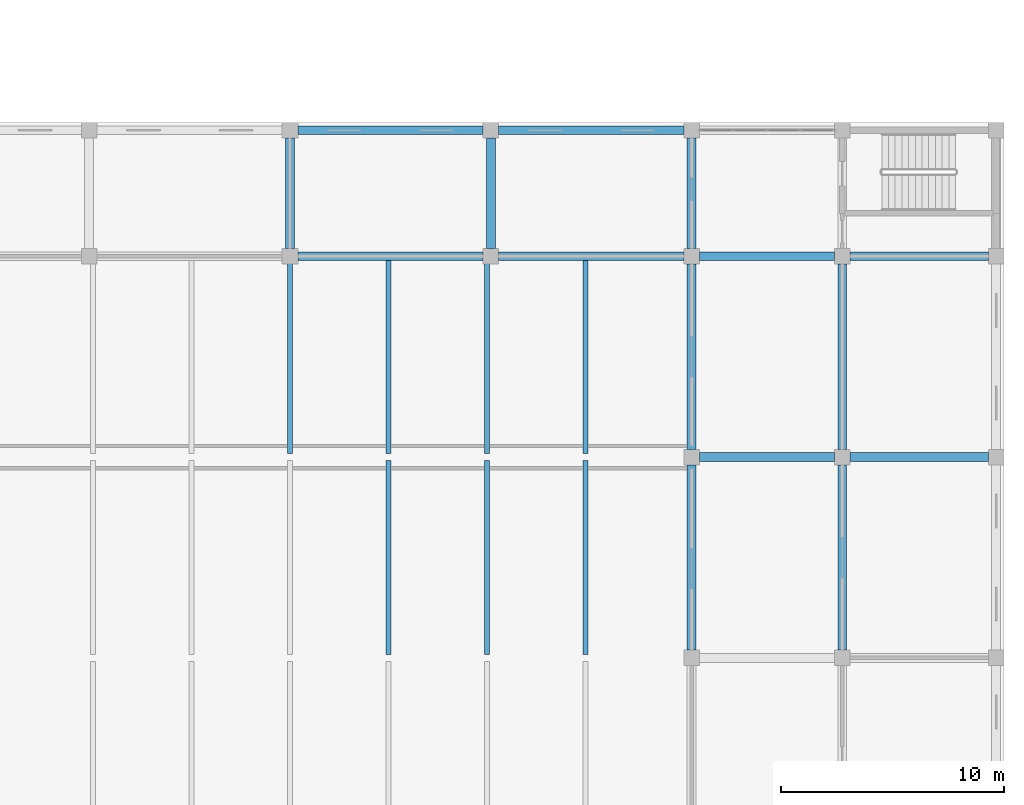
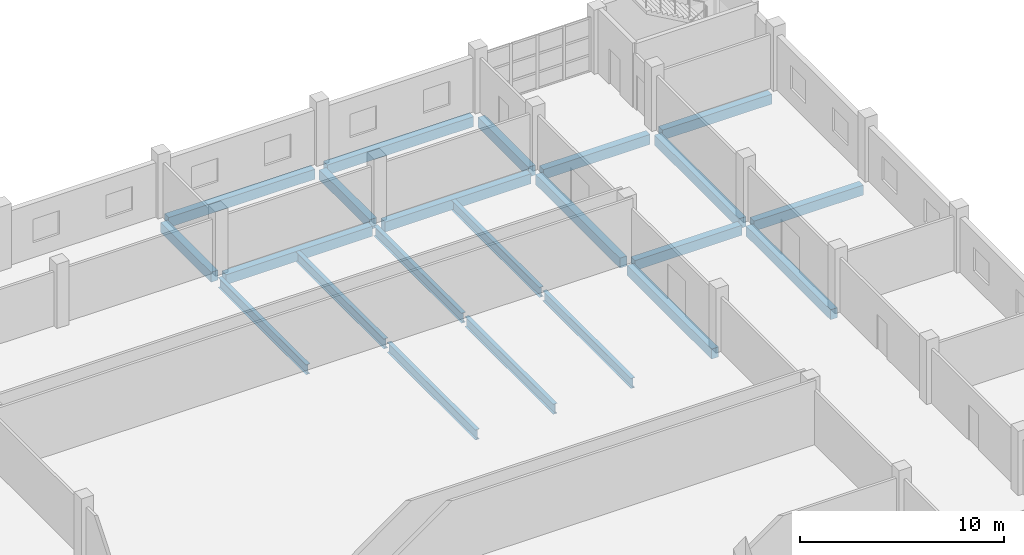
# One storey, part 7 of 31: 22 beams.
"""IFC4 building model written with IfcOpenShell, lengths in metres."""

import ifcopenshell
import ifcopenshell.guid

model = None  # the IFC model being written
_history = None  # IfcOwnerHistory: only IFC2X3 demands one
_inside = {}  # id of a spatial element -> (the spatial element, [elements in it])
_under = {}  # id of a project, library or spatial element -> (it, [spatial elements below it])
_declared = {}  # id of a project -> (the project, [libraries it declares])
_typed = {}  # id of a type object -> (the type object, [elements of that type])
_made_of = {}  # id of a material, layer set ... -> (it, [elements and type objects made of it])


def new_model(schema):
    """Start an empty IFC model of exactly this schema.

    Asked for "IFC4X3", IfcOpenShell would pick the latest addendum, in which some entities
    have other attributes; the version numbers below select the first issue.
    IFC2X3 requires an IfcOwnerHistory on every rooted entity: one is made here for all.
    """
    global model, _history
    if schema == "IFC4X3":
        model = ifcopenshell.file(schema_version=(4, 3, 0, 0))
    else:
        model = ifcopenshell.file(schema=schema)
    _inside.clear()
    _under.clear()
    _declared.clear()
    _typed.clear()
    _made_of.clear()
    _history = None
    if model.schema == "IFC2X3":
        org = make("IfcOrganization", Name="unknown")
        user = make(
            "IfcPersonAndOrganization",
            ThePerson=make("IfcPerson", FamilyName="unknown"),
            TheOrganization=org,
        )
        app = make(
            "IfcApplication",
            ApplicationDeveloper=org,
            Version="unknown",
            ApplicationFullName="unknown",
            ApplicationIdentifier="unknown",
        )
        _history = make(
            "IfcOwnerHistory",
            OwningUser=user,
            OwningApplication=app,
            ChangeAction="ADDED",
            CreationDate=0,
        )
    return model


def make(cls, **values):
    """One entity of the class cls with the attributes given. An attribute that is None is left unset."""
    return model.create_entity(
        cls, **{name: value for name, value in values.items() if value is not None}
    )


def rooted(cls, **values):
    """An entity with a GlobalId (a new one), such as an element, a storey or a relation."""
    return make(cls, GlobalId=ifcopenshell.guid.new(), OwnerHistory=_history, **values)


def si_unit(unit_type, name, prefix=None):
    """IfcSIUnit, for example si_unit("LENGTHUNIT", "METRE", prefix="MILLI")."""
    return make("IfcSIUnit", UnitType=unit_type, Prefix=prefix, Name=name)


def assignment(units):
    """IfcUnitAssignment: the units of a project."""
    return None if units is None else make("IfcUnitAssignment", Units=units)


def point(xyz):
    """IfcCartesianPoint."""
    return None if xyz is None else make("IfcCartesianPoint", Coordinates=xyz)


def direction(xyz):
    """IfcDirection."""
    return None if xyz is None else make("IfcDirection", DirectionRatios=xyz)


def frame(location, z_axis=None, x_axis=None):
    """IfcAxis2Placement3D, a coordinate frame: its origin and axes. An axis left out is left unset."""
    return make(
        "IfcAxis2Placement3D",
        Location=point(location),
        Axis=direction(z_axis),
        RefDirection=direction(x_axis),
    )


def frame_2d(location, x_axis=None):
    """IfcAxis2Placement2D, a coordinate frame in the plane: its origin and x axis."""
    return make(
        "IfcAxis2Placement2D", Location=point(location), RefDirection=direction(x_axis)
    )


def origin():
    """The frame at (0, 0, 0) with its axes left unset."""
    return frame((0.0, 0.0, 0.0))


def origin_2d():
    """The frame at (0, 0) in the plane with its x axis left unset."""
    return frame_2d((0.0, 0.0))


def place(relative_to, where):
    """IfcLocalPlacement: puts the frame where relative to a parent placement (None: the world)."""
    return make(
        "IfcLocalPlacement", PlacementRelTo=relative_to, RelativePlacement=where
    )


def context(
    kind, dimensions, precision=None, world=None, true_north=None, identifier=None
):
    """IfcGeometricRepresentationContext, for example the 3D "Model" context."""
    return make(
        "IfcGeometricRepresentationContext",
        ContextIdentifier=identifier,
        ContextType=kind,
        CoordinateSpaceDimension=dimensions,
        Precision=precision,
        WorldCoordinateSystem=world,
        TrueNorth=true_north,
    )


def subcontext(parent, identifier, kind, view, scale=None):
    """IfcGeometricRepresentationSubContext, for example "Body" below "Model"."""
    return make(
        "IfcGeometricRepresentationSubContext",
        ContextIdentifier=identifier,
        ContextType=kind,
        ParentContext=parent,
        TargetScale=scale,
        TargetView=view,
    )


def project(units=None, contexts=None):
    """IfcProject with its units and contexts."""
    return rooted(
        "IfcProject",
        Name="project",
        RepresentationContexts=contexts,
        UnitsInContext=assignment(units),
    )


def spatial(cls, under=None, at=None, **own):
    """A site, building, storey or space (cls), placed at a placement, below another one or the project."""
    s = rooted(cls, ObjectPlacement=at, **own)
    if under is not None:
        _under.setdefault(under.id(), (under, []))[1].append(s)
    return s


def profile(cls, at=None, kind="AREA", **sizes):
    """A parametric profile (cls). Its sizes go by their IFC names, for example OverallWidth=200.0."""
    return make(cls, ProfileType=kind, Position=at, **sizes)


def rectangle(**sizes):
    """IfcRectangleProfileDef."""
    return profile("IfcRectangleProfileDef", **sizes)


def i_section(**sizes):
    """IfcIShapeProfileDef."""
    return profile("IfcIShapeProfileDef", **sizes)


def extrude(swept, where, along, depth):
    """IfcExtrudedAreaSolid: the profile swept, set in the frame where, extruded along a direction by depth."""
    return make(
        "IfcExtrudedAreaSolid",
        SweptArea=swept,
        Position=where,
        ExtrudedDirection=direction(along),
        Depth=depth,
    )


def shape(context_of_items, identifier, shape_type, items):
    """IfcShapeRepresentation: the items that make up one representation, for example the "Body"."""
    return make(
        "IfcShapeRepresentation",
        ContextOfItems=context_of_items,
        RepresentationIdentifier=identifier,
        RepresentationType=shape_type,
        Items=items,
    )


def material(Name=None, Category=None):
    """IfcMaterial."""
    return make("IfcMaterial", Name=Name, Category=Category)


def material_profile(
    of_material, cross_section, Name=None, Category=None, Priority=None
):
    """IfcMaterialProfile: a cross section and its material."""
    return make(
        "IfcMaterialProfile",
        Name=Name,
        Material=of_material,
        Profile=cross_section,
        Priority=Priority,
        Category=Category,
    )


def profile_set(profiles, Name=None, composite=None):
    """IfcMaterialProfileSet."""
    return make(
        "IfcMaterialProfileSet",
        Name=Name,
        MaterialProfiles=profiles,
        CompositeProfile=composite,
    )


def made_of(thing, what):
    """Note that an element or type object is made of a material, layer set ...; save() writes the relation."""
    if what is not None:
        _made_of.setdefault(what.id(), (what, []))[1].append(thing)
    return thing


def type_object(cls, material=None, **own):
    """A type object (cls), such as IfcWallType, which elements share."""
    return made_of(rooted(cls, **own), material)


def element(
    cls,
    number,
    at=None,
    inside=None,
    cuts=None,
    type_object=None,
    material=None,
    context=None,
    identifier="Body",
    shape_type=None,
    held_by="IfcProductDefinitionShape",
    body=None,
    shapes=None,
    **own,
):
    """One element of the class cls, such as IfcWall. Its Tag is "e" and its number.

    at: its placement. inside: the storey or other place that contains it. cuts: it is an
    opening in that element (IfcRelVoidsElement). A single representation is given by context,
    identifier, shape_type and body (its items); several are given by shapes. held_by: the class
    of the entity that holds the representations. save() writes the other relations.
    """
    e = rooted(cls, Tag="e%d" % number, ObjectPlacement=at, **own)
    if body is not None:
        shapes = [shape(context, identifier, shape_type, body)]
    if shapes is not None:
        e.Representation = make(held_by, Representations=shapes)
    if inside is not None:
        _inside.setdefault(inside.id(), (inside, []))[1].append(e)
    if cuts is not None:
        rooted(
            "IfcRelVoidsElement", RelatingBuildingElement=cuts, RelatedOpeningElement=e
        )
    if type_object is not None:
        _typed.setdefault(type_object.id(), (type_object, []))[1].append(e)
    return made_of(e, material)


def aggregate(whole, parts):
    """IfcRelAggregates: a whole, such as a stair, and the parts it consists of."""
    return rooted("IfcRelAggregates", RelatingObject=whole, RelatedObjects=parts)


def save(model, path):
    """Write the relations noted so far, then the file.

    IfcRelAggregates (storeys below a building ...), IfcRelContainedInSpatialStructure (elements
    in a storey), IfcRelDefinesByType, IfcRelAssociatesMaterial and IfcRelDeclares: one each for
    every whole, place, type object, material and project.
    """
    for whole, parts in _under.values():
        aggregate(whole, parts)
    for where, things in _inside.values():
        rooted(
            "IfcRelContainedInSpatialStructure",
            RelatedElements=things,
            RelatingStructure=where,
        )
    for kind, things in _typed.values():
        rooted("IfcRelDefinesByType", RelatedObjects=things, RelatingType=kind)
    for what, things in _made_of.values():
        rooted("IfcRelAssociatesMaterial", RelatedObjects=things, RelatingMaterial=what)
    for by, libraries in _declared.values():
        rooted("IfcRelDeclares", RelatingContext=by, RelatedDefinitions=libraries)
    model.write(path)


model = new_model("IFC4")

# Units and contexts
model_context = context("Model", 3, precision=1e-05, world=origin(), true_north=direction((0.0, 1.0)))
body_context = subcontext(model_context, "Body", "Model", "MODEL_VIEW")
ifc_project = project(units=[si_unit("LENGTHUNIT", "METRE"), si_unit("AREAUNIT", "SQUARE_METRE"), si_unit("VOLUMEUNIT", "CUBIC_METRE"), si_unit("PLANEANGLEUNIT", "RADIAN"), si_unit("MASSUNIT", "GRAM", prefix="KILO")], contexts=[model_context])

# Site, building, storey
site_placement = place(None, origin())
site = spatial("IfcSite", under=ifc_project, at=site_placement, CompositionType="ELEMENT")
building_placement = place(site_placement, origin())
building = spatial("IfcBuilding", under=site, at=building_placement, Name="Corbel Stack Research Tower", CompositionType="ELEMENT")
storey_placement = place(building_placement, frame((0.0, 0.0, 15.39990234375)))
storey = spatial("IfcBuildingStorey", under=building, at=storey_placement, Name="L03", CompositionType="ELEMENT", Elevation=15.39990234375)

# Beams
ifc_material_1 = material(Name="Concrete C40/50", Category="concrete")
ifc_material_profile_1 = material_profile(ifc_material_1, rectangle(XDim=0.39990234375, YDim=0.60009765625, at=origin_2d()), Name="RC 400 x 600")
ifc_profile_set_1 = profile_set([ifc_material_profile_1], Name="Concrete C40/50")
beam_type_1 = type_object("IfcBeamType", Name="HB1 RC beam 400 x 600", PredefinedType="BEAM", material=ifc_profile_set_1)
beam_1_placement = place(storey_placement, frame((69.300048828125, 18.0, -0.5498046875), z_axis=(1.0, 0.0, 0.0), x_axis=(0.0, 1.0, 0.0)))
element("IfcBeam", 1, at=beam_1_placement, inside=storey, type_object=beam_type_1, Name="Floor beam L03 H5HF-H6HF", PredefinedType="BEAM", context=body_context, shape_type="SweptSolid", body=[
    extrude(rectangle(XDim=0.39990234375, YDim=0.60009765625, at=origin_2d()), origin(), (0.0, 0.0, 1.0), 8.300048828125),
])
beam_2_placement = place(storey_placement, frame((68.949951171875, 18.35009765625, -0.5498046875), z_axis=(0.0, 1.0, 0.0), x_axis=(-1.0, 0.0, 0.0)))
element("IfcBeam", 2, at=beam_2_placement, inside=storey, type_object=beam_type_1, Name="Floor beam L03 H5HF-H5HG", PredefinedType="BEAM", context=body_context, shape_type="SweptSolid", body=[
    extrude(rectangle(XDim=0.39990234375, YDim=0.60009765625, at=origin_2d()), origin(), (0.0, 0.0, 1.0), 4.949951171875),
])
for number, where, z_axis, x_axis, name in (
    (3, (69.300048828125, 23.64990234375, -0.5498046875), (1.0, 0.0, 0.0), (0.0, 1.0, 0.0), "Floor beam L03 H5HG-H6HG"),
    (4, (78.300048828125, 18.0, -0.5498046875), (1.0, 0.0, 0.0), (0.0, 1.0, 0.0), "Floor beam L03 H6HF-H7HF"),
):
    element("IfcBeam", number, at=place(storey_placement, frame(where, z_axis=z_axis, x_axis=x_axis)), inside=storey, type_object=beam_type_1, Name=name, PredefinedType="BEAM", context=body_context, shape_type="SweptSolid", body=[
        extrude(rectangle(XDim=0.39990234375, YDim=0.60009765625, at=origin_2d()), origin(), (0.0, 0.0, 1.0), 8.300048828125),
    ])
beam_3_placement = place(storey_placement, frame((77.949951171875, 18.35009765625, -0.5498046875), z_axis=(0.0, 1.0, 0.0), x_axis=(-1.0, 0.0, 0.0)))
element("IfcBeam", 5, at=beam_3_placement, inside=storey, type_object=beam_type_1, Name="Floor beam L03 H6HF-H6HG", PredefinedType="BEAM", context=body_context, shape_type="SweptSolid", body=[
    extrude(rectangle(XDim=0.39990234375, YDim=0.60009765625, at=origin_2d()), origin(), (0.0, 0.0, 1.0), 4.949951171875),
])
beam_4_placement = place(storey_placement, frame((78.300048828125, 23.64990234375, -0.5498046875), z_axis=(1.0, 0.0, 0.0), x_axis=(0.0, 1.0, 0.0)))
element("IfcBeam", 6, at=beam_4_placement, inside=storey, type_object=beam_type_1, Name="Floor beam L03 H6HG-H7HG", PredefinedType="BEAM", context=body_context, shape_type="SweptSolid", body=[
    extrude(rectangle(XDim=0.39990234375, YDim=0.60009765625, at=origin_2d()), origin(), (0.0, 0.0, 1.0), 8.300048828125),
])
beam_5_placement = place(storey_placement, frame((86.949951171875, 0.35009765625, -0.5498046875), z_axis=(0.0, 1.0, 0.0), x_axis=(-1.0, 0.0, 0.0)))
element("IfcBeam", 7, at=beam_5_placement, inside=storey, type_object=beam_type_1, Name="Floor beam L03 H7HD-H7HE", PredefinedType="BEAM", context=body_context, shape_type="SweptSolid", body=[
    extrude(rectangle(XDim=0.39990234375, YDim=0.60009765625, at=origin_2d()), origin(), (0.0, 0.0, 1.0), 8.2998046875),
])
beam_6_placement = place(storey_placement, frame((87.300048828125, 9.0, -0.5498046875), z_axis=(1.0, 0.0, 0.0), x_axis=(0.0, 1.0, 0.0)))
element("IfcBeam", 8, at=beam_6_placement, inside=storey, type_object=beam_type_1, Name="Floor beam L03 H7HE-H8HE", PredefinedType="BEAM", context=body_context, shape_type="SweptSolid", body=[
    extrude(rectangle(XDim=0.39990234375, YDim=0.60009765625, at=origin_2d()), origin(), (0.0, 0.0, 1.0), 6.050048828125),
])
beam_7_placement = place(storey_placement, frame((86.949951171875, 9.35009765625, -0.5498046875), z_axis=(0.0, 1.0, 0.0), x_axis=(-1.0, 0.0, 0.0)))
element("IfcBeam", 9, at=beam_7_placement, inside=storey, type_object=beam_type_1, Name="Floor beam L03 H7HE-H7HF", PredefinedType="BEAM", context=body_context, shape_type="SweptSolid", body=[
    extrude(rectangle(XDim=0.39990234375, YDim=0.60009765625, at=origin_2d()), origin(), (0.0, 0.0, 1.0), 8.2998046875),
])
beam_8_placement = place(storey_placement, frame((87.300048828125, 18.0, -0.5498046875), z_axis=(1.0, 0.0, 0.0), x_axis=(0.0, 1.0, 0.0)))
element("IfcBeam", 10, at=beam_8_placement, inside=storey, type_object=beam_type_1, Name="Floor beam L03 H7HF-H8HF", PredefinedType="BEAM", context=body_context, shape_type="SweptSolid", body=[
    extrude(rectangle(XDim=0.39990234375, YDim=0.60009765625, at=origin_2d()), origin(), (0.0, 0.0, 1.0), 6.050048828125),
])
beam_9_placement = place(storey_placement, frame((86.949951171875, 18.35009765625, -0.5498046875), z_axis=(0.0, 1.0, 0.0), x_axis=(-1.0, 0.0, 0.0)))
element("IfcBeam", 11, at=beam_9_placement, inside=storey, type_object=beam_type_1, Name="Floor beam L03 H7HF-H7HG", PredefinedType="BEAM", context=body_context, shape_type="SweptSolid", body=[
    extrude(rectangle(XDim=0.39990234375, YDim=0.60009765625, at=origin_2d()), origin(), (0.0, 0.0, 1.0), 4.949951171875),
])
beam_10_placement = place(storey_placement, frame((93.699951171875, 0.35009765625, -0.5498046875), z_axis=(0.0, 1.0, 0.0), x_axis=(-1.0, 0.0, 0.0)))
element("IfcBeam", 12, at=beam_10_placement, inside=storey, type_object=beam_type_1, Name="Floor beam L03 H8HD-H8HE", PredefinedType="BEAM", context=body_context, shape_type="SweptSolid", body=[
    extrude(rectangle(XDim=0.39990234375, YDim=0.60009765625, at=origin_2d()), origin(), (0.0, 0.0, 1.0), 8.2998046875),
])
beam_11_placement = place(storey_placement, frame((94.050048828125, 9.0, -0.5498046875), z_axis=(1.0, 0.0, 0.0), x_axis=(0.0, 1.0, 0.0)))
element("IfcBeam", 13, at=beam_11_placement, inside=storey, type_object=beam_type_1, Name="Floor beam L03 H8HE-H9HE", PredefinedType="BEAM", context=body_context, shape_type="SweptSolid", body=[
    extrude(rectangle(XDim=0.39990234375, YDim=0.60009765625, at=origin_2d()), origin(), (0.0, 0.0, 1.0), 6.199951171875),
])
beam_12_placement = place(storey_placement, frame((93.699951171875, 9.35009765625, -0.5498046875), z_axis=(0.0, 1.0, 0.0), x_axis=(-1.0, 0.0, 0.0)))
element("IfcBeam", 14, at=beam_12_placement, inside=storey, type_object=beam_type_1, Name="Floor beam L03 H8HE-H8HF", PredefinedType="BEAM", context=body_context, shape_type="SweptSolid", body=[
    extrude(rectangle(XDim=0.39990234375, YDim=0.60009765625, at=origin_2d()), origin(), (0.0, 0.0, 1.0), 8.2998046875),
])
beam_13_placement = place(storey_placement, frame((94.050048828125, 18.0, -0.5498046875), z_axis=(1.0, 0.0, 0.0), x_axis=(0.0, 1.0, 0.0)))
element("IfcBeam", 15, at=beam_13_placement, inside=storey, type_object=beam_type_1, Name="Floor beam L03 H8HF-H9HF", PredefinedType="BEAM", context=body_context, shape_type="SweptSolid", body=[
    extrude(rectangle(XDim=0.39990234375, YDim=0.60009765625, at=origin_2d()), origin(), (0.0, 0.0, 1.0), 6.199951171875),
])
ifc_material_2 = material(Name="Steel S355", Category="steel")
ifc_material_profile_2 = material_profile(ifc_material_2, i_section(OverallWidth=0.22802734375, OverallDepth=0.60302734375, WebThickness=0.010986328125, FlangeThickness=0.014892578125, at=origin_2d()), Name="W24x68")
ifc_profile_set_2 = profile_set([ifc_material_profile_2], Name="Steel S355")
beam_type_2 = type_object("IfcBeamType", Name="HB2 steel beam W24x68", PredefinedType="BEAM", material=ifc_profile_set_2)
for number, where, z_axis, x_axis, name in (
    (16, (73.362548828125, 0.152587890625, -0.551513671875), (0.0, 1.0, 0.0), (-1.0, 0.0, 0.0), "Steel floor beam L03 bay 3 line 5"),
    (17, (77.77490234375, 0.152587890625, -0.551513671875), (0.0, 1.0, 0.0), (-1.0, 0.0, 0.0), "Steel floor beam L03 bay 3 line 6"),
    (18, (82.1875, 0.152587890625, -0.551513671875), (0.0, 1.0, 0.0), (-1.0, 0.0, 0.0), "Steel floor beam L03 bay 3 line 7"),
):
    element("IfcBeam", number, at=place(storey_placement, frame(where, z_axis=z_axis, x_axis=x_axis)), inside=storey, type_object=beam_type_2, Name=name, PredefinedType="BEAM", context=body_context, shape_type="SweptSolid", body=[
        extrude(i_section(OverallWidth=0.22802734375, OverallDepth=0.60302734375, WebThickness=0.010986328125, FlangeThickness=0.014892578125, at=origin_2d()), origin(), (0.0, 0.0, 1.0), 8.69482421875),
    ])
for number, where, z_axis, x_axis, name in (
    (19, (68.949951171875, 9.152587890625, -0.551513671875), (0.0, 1.0, 0.0), (-1.0, 0.0, 0.0), "Steel floor beam L03 bay 4 line 4"),
    (20, (73.362548828125, 9.152587890625, -0.551513671875), (0.0, 1.0, 0.0), (-1.0, 0.0, 0.0), "Steel floor beam L03 bay 4 line 5"),
    (21, (77.77490234375, 9.152587890625, -0.551513671875), (0.0, 1.0, 0.0), (-1.0, 0.0, 0.0), "Steel floor beam L03 bay 4 line 6"),
    (22, (82.1875, 9.152587890625, -0.551513671875), (0.0, 1.0, 0.0), (-1.0, 0.0, 0.0), "Steel floor beam L03 bay 4 line 7"),
):
    element("IfcBeam", number, at=place(storey_placement, frame(where, z_axis=z_axis, x_axis=x_axis)), inside=storey, type_object=beam_type_2, Name=name, PredefinedType="BEAM", context=body_context, shape_type="SweptSolid", body=[
        extrude(i_section(OverallWidth=0.22802734375, OverallDepth=0.60302734375, WebThickness=0.010986328125, FlangeThickness=0.014892578125, at=origin_2d()), origin(), (0.0, 0.0, 1.0), 8.6474609375),
    ])

save(model, "model.ifc")
